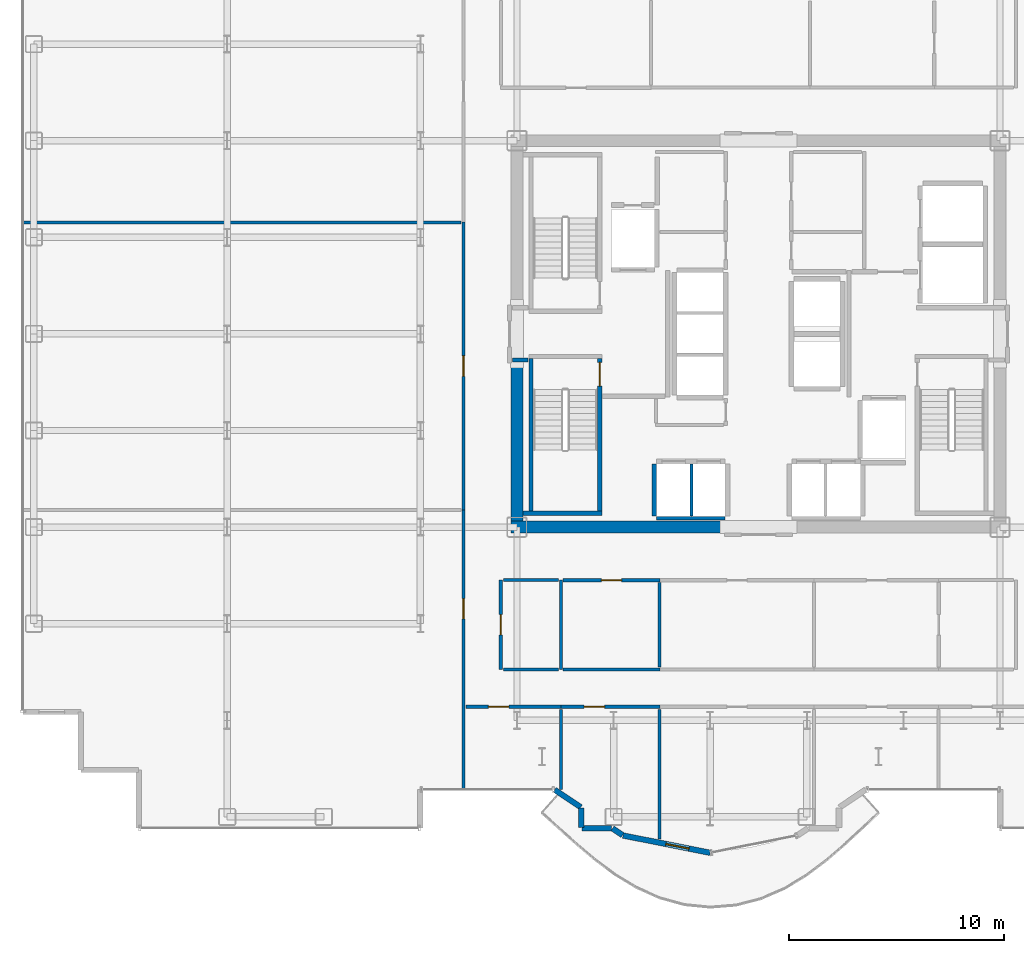
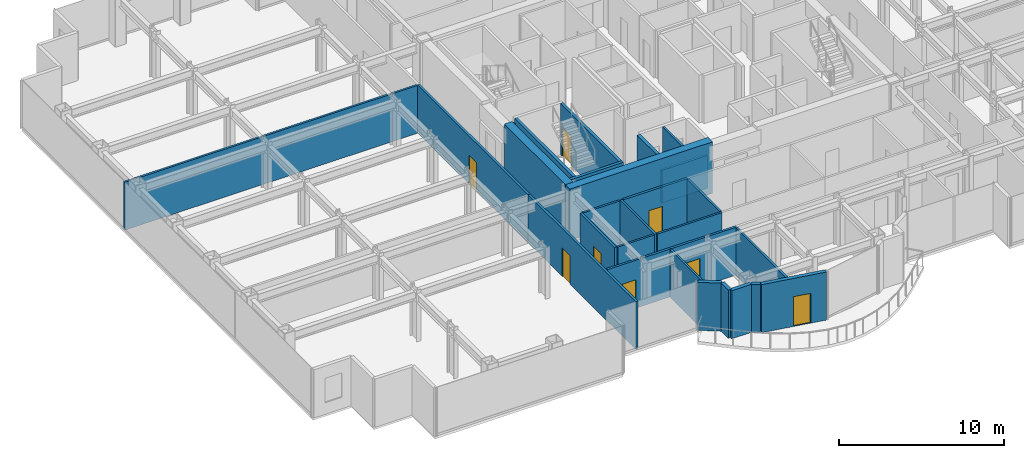
# One storey, part 15 of 23: 28 walls, 8 doors, 8 openings.
"""IFC4 building model written with IfcOpenShell, lengths in metres."""

from ifc_helpers import new_model, si_unit, direction, frame, frame_2d, origin, place, context, subcontext, project, spatial, rectangle, extrude, source, transform, mapped, material, layer, layer_set, type_object, element, fill, save


model = new_model("IFC4")

# Units and contexts
model_context = context("Model", 3, precision=1e-05, world=origin(), true_north=direction((0.0, 1.0)))
body_context = subcontext(model_context, "Body", "Model", "MODEL_VIEW")
ifc_project = project(units=[si_unit("LENGTHUNIT", "METRE"), si_unit("AREAUNIT", "SQUARE_METRE"), si_unit("VOLUMEUNIT", "CUBIC_METRE"), si_unit("PLANEANGLEUNIT", "RADIAN"), si_unit("MASSUNIT", "GRAM", prefix="KILO")], contexts=[model_context])

# Site, building, storey
site_placement = place(None, origin())
site = spatial("IfcSite", under=ifc_project, at=site_placement, CompositionType="ELEMENT")
building_placement = place(site_placement, origin())
building = spatial("IfcBuilding", under=site, at=building_placement, Name="Nefas-Gora Pilgrimage Tower", CompositionType="ELEMENT")
storey_placement = place(building_placement, frame((0.0, 0.0, 156.39990234375)))
storey = spatial("IfcBuildingStorey", under=building, at=storey_placement, Name="L38", CompositionType="ELEMENT", Elevation=156.39990234375)

# Walls
ifc_material_1 = material(Name="Concrete C60/75", Category="concrete")
ifc_layer_1 = layer(ifc_material_1, 0.550048828125)
ifc_layer_set_1 = layer_set([ifc_layer_1], Name="Concrete C60/75")
wall_type_1 = type_object("IfcWallType", Name="SW-CORE-550", PredefinedType="SHEAR", material=ifc_layer_set_1)
shared_shape_1 = source(origin(), body_context, "Body", "SweptSolid", [
    extrude(rectangle(XDim=9.974853515625, YDim=0.550048828125, at=frame_2d((4.9873046875, 0.0))), origin(), (0.0, 0.0, 1.0), 3.800048828125),
])
wall_1_placement = place(storey_placement, frame((-11.52490234375, -9.0, 0.0), z_axis=(0.0, 0.0, 1.0), x_axis=(1.0, 0.0, 0.0)))
element("IfcWall", 1, at=wall_1_placement, inside=storey, type_object=wall_type_1, Name="L38 Core Shear Wall S-West", PredefinedType="SHEAR", context=body_context, shape_type="MappedRepresentation", body=[
    mapped(shared_shape_1, transform((0.0, 0.0, 0.0), x_axis=(1.0, 0.0, 0.0), y_axis=(0.0, 1.0, 0.0), z_axis=(0.0, 0.0, 1.0), scale=1.0)),
])
shared_shape_2 = source(origin(), body_context, "Body", "SweptSolid", [
    extrude(rectangle(XDim=7.375, YDim=0.550048828125, at=frame_2d((3.6875, 0.0))), origin(), (0.0, 0.0, 1.0), 3.800048828125),
])
wall_2_placement = place(storey_placement, frame((-11.25, -8.72509765625, 0.0), z_axis=(0.0, 0.0, 1.0), x_axis=(0.0, 1.0, 0.0)))
element("IfcWall", 2, at=wall_2_placement, inside=storey, type_object=wall_type_1, Name="L38 Core Shear Wall W-South", PredefinedType="SHEAR", context=body_context, shape_type="MappedRepresentation", body=[
    mapped(shared_shape_2, transform((0.0, 0.0, 0.0), x_axis=(1.0, 0.0, 0.0), y_axis=(0.0, 1.0, 0.0), z_axis=(0.0, 0.0, 1.0), scale=1.0)),
])
ifc_material_2 = material(Name="Precast concrete C40/50", Category="concrete")
ifc_layer_2 = layer(ifc_material_2, 0.260009765625)
ifc_layer_set_2 = layer_set([ifc_layer_2], Name="Precast concrete C40/50")
wall_type_2 = type_object("IfcWallType", Name="EW-PORTAL-260", PredefinedType="SOLIDWALL", material=ifc_layer_set_2)
shared_shape_3 = source(origin(), body_context, "Body", "SweptSolid", [
    extrude(rectangle(XDim=1.468994140625, YDim=0.260009765625, at=frame_2d((0.734375, 0.0))), origin(), (0.0, 0.0, 1.0), 3.550048828125),
])
wall_3_placement = place(storey_placement, frame((-9.49462890625, -21.235595703125, 0.0), z_axis=(0.0, 0.0, 1.0), x_axis=(0.831461760506, -0.555581983884, 0.0)))
element("IfcWall", 3, at=wall_3_placement, inside=storey, type_object=wall_type_2, Name="L38 Lobe Shoulder Precast Spandrel Pier 30", PredefinedType="SOLIDWALL", context=body_context, shape_type="MappedRepresentation", body=[
    mapped(shared_shape_3, transform((0.0, 0.0, 0.0), x_axis=(1.0, 0.0, 0.0), y_axis=(0.0, 1.0, 0.0), z_axis=(0.0, 0.0, 1.0), scale=1.0)),
])
shared_shape_4 = source(origin(), body_context, "Body", "SweptSolid", [
    extrude(rectangle(XDim=0.896728515625, YDim=0.260009765625, at=frame_2d((0.4482421875, 0.0))), origin(), (0.0, 0.0, 1.0), 3.550048828125),
])
wall_4_placement = place(storey_placement, frame((-8.25, -22.09521484375, 0.0), z_axis=(0.0, 0.0, 1.0), x_axis=(0.0, -1.0, 0.0)))
element("IfcWall", 4, at=wall_4_placement, inside=storey, type_object=wall_type_2, Name="L38 Lobe Shoulder Precast Spandrel Pier 31", PredefinedType="SOLIDWALL", context=body_context, shape_type="MappedRepresentation", body=[
    mapped(shared_shape_4, transform((0.0, 0.0, 0.0), x_axis=(1.0, 0.0, 0.0), y_axis=(0.0, 1.0, 0.0), z_axis=(0.0, 0.0, 1.0), scale=1.0)),
])
shared_shape_5 = source(origin(), body_context, "Body", "SweptSolid", [
    extrude(rectangle(XDim=1.369873046875, YDim=0.260009765625, at=frame_2d((0.68505859375, 0.0))), origin(), (0.0, 0.0, 1.0), 3.550048828125),
])
wall_5_placement = place(storey_placement, frame((-8.221923828125, -23.02001953125, 0.0), z_axis=(0.0, 0.0, 1.0), x_axis=(1.0, 0.0, 0.0)))
element("IfcWall", 5, at=wall_5_placement, inside=storey, type_object=wall_type_2, Name="L38 Lobe Shoulder Precast Spandrel Pier 32", PredefinedType="SOLIDWALL", context=body_context, shape_type="MappedRepresentation", body=[
    mapped(shared_shape_5, transform((0.0, 0.0, 0.0), x_axis=(1.0, 0.0, 0.0), y_axis=(0.0, 1.0, 0.0), z_axis=(0.0, 0.0, 1.0), scale=1.0)),
])
shared_shape_6 = source(origin(), body_context, "Body", "SweptSolid", [
    extrude(rectangle(XDim=0.5654296875, YDim=0.260009765625, at=frame_2d((0.28271484375, 0.0))), origin(), (0.0, 0.0, 1.0), 3.550048828125),
])
wall_6_placement = place(storey_placement, frame((-6.80078125, -23.03564453125, 0.0), z_axis=(0.0, 0.0, 1.0), x_axis=(0.831651492666, -0.555297933317, 0.0)))
element("IfcWall", 6, at=wall_6_placement, inside=storey, type_object=wall_type_2, Name="L38 Lobe Shoulder Precast Spandrel Pier 33", PredefinedType="SOLIDWALL", context=body_context, shape_type="MappedRepresentation", body=[
    mapped(shared_shape_6, transform((0.0, 0.0, 0.0), x_axis=(1.0, 0.0, 0.0), y_axis=(0.0, 1.0, 0.0), z_axis=(0.0, 0.0, 1.0), scale=1.0)),
])

# Wall, opening, door
shared_shape_7 = source(origin(), body_context, "Body", "SweptSolid", [
    extrude(rectangle(XDim=4.136962890625, YDim=0.260009765625, at=frame_2d((2.068359375, 0.0))), origin(), (0.0, 0.0, 1.0), 3.550048828125),
])
wall_7_placement = place(storey_placement, frame((-6.307373046875, -23.365234375, 0.0), z_axis=(0.0, 0.0, 1.0), x_axis=(0.980782170794, -0.195105954428, 0.0)))
wall_7 = element("IfcWall", 7, at=wall_7_placement, inside=storey, type_object=wall_type_2, Name="L38 Insulated Terrace Portal Wall 34", PredefinedType="SOLIDWALL", context=body_context, shape_type="MappedRepresentation", body=[
    mapped(shared_shape_7, transform((0.0, 0.0, 0.0), x_axis=(1.0, 0.0, 0.0), y_axis=(0.0, 1.0, 0.0), z_axis=(0.0, 0.0, 1.0), scale=1.0)),
])
opening_1_placement = place(wall_7_placement, frame((2.03369140625, 0.0, 0.0)))
opening_1 = element("IfcOpeningElement", 8, at=opening_1_placement, cuts=wall_7, Name="Opening ED-B1", PredefinedType="OPENING", context=body_context, shape_type="SweptSolid", body=[
    extrude(rectangle(XDim=1.10009765625, YDim=2.199951171875, at=frame_2d((0.550048828125, 1.10009765625))), frame((0.0, 0.139892578125, 0.0), z_axis=(0.0, -1.0, 0.0), x_axis=(1.0, 0.0, 0.0)), (0.0, 0.0, 1.0), 0.280029296875),
])
ifc_material_3 = material(Name="Thermally broken glazed aluminium balcony door", Category="aluminium")
door_type_1 = type_object("IfcDoorType", Name="DR-EXT-BAL-1100", OperationType="NOTDEFINED", PredefinedType="DOOR", material=ifc_material_3)
shared_shape_8 = source(origin(), body_context, "Body", "SweptSolid", [
    extrude(rectangle(XDim=1.10009765625, YDim=2.199951171875, at=frame_2d((0.550048828125, 1.10009765625))), frame((0.0, 0.02490234375, 0.0), z_axis=(0.0, -1.0, 0.0), x_axis=(1.0, 0.0, 0.0)), (0.0, 0.0, 1.0), 0.050048828125),
])
door_1_placement = place(opening_1_placement, origin())
door_1 = element("IfcDoor", 9, at=door_1_placement, inside=storey, type_object=door_type_1, Name="L38 Exterior Door (L38 S Lobe Wave Balcony)", OperationType="SINGLE_SWING_LEFT", OverallHeight=2.199951171875, OverallWidth=1.10009765625, PredefinedType="DOOR", context=body_context, shape_type="MappedRepresentation", body=[
    mapped(shared_shape_8, transform((0.0, 0.0, 0.0), x_axis=(1.0, 0.0, 0.0), y_axis=(0.0, 1.0, 0.0), z_axis=(0.0, 0.0, 1.0), scale=1.0)),
])
fill(opening_1, door_1)

# Wall
ifc_material_4 = material(Name="Concrete C45/55", Category="concrete")
ifc_layer_3 = layer(ifc_material_4, 0.199951171875)
ifc_layer_set_3 = layer_set([ifc_layer_3], Name="Concrete C45/55")
wall_type_3 = type_object("IfcWallType", Name="IW-STAIR-200", PredefinedType="SOLIDWALL", material=ifc_layer_set_3)
shared_shape_9 = source(origin(), body_context, "Body", "SweptSolid", [
    extrude(rectangle(XDim=7.10009765625, YDim=0.199951171875, at=frame_2d((3.550048828125, 0.0))), origin(), (0.0, 0.0, 1.0), 3.800048828125),
])
wall_8_placement = place(storey_placement, frame((-10.60009765625, -1.14990234375, 0.0), z_axis=(0.0, 0.0, 1.0), x_axis=(0.0, -1.0, 0.0)))
element("IfcWall", 10, at=wall_8_placement, inside=storey, type_object=wall_type_3, Name="L38 Stairwell Shear Wall ST-03-left", PredefinedType="SOLIDWALL", context=body_context, shape_type="MappedRepresentation", body=[
    mapped(shared_shape_9, transform((0.0, 0.0, 0.0), x_axis=(1.0, 0.0, 0.0), y_axis=(0.0, 1.0, 0.0), z_axis=(0.0, 0.0, 1.0), scale=1.0)),
])

# Wall, opening, door
wall_9_placement = place(storey_placement, frame((-7.39990234375, -1.14990234375, 0.0), z_axis=(0.0, 0.0, 1.0), x_axis=(0.0, -1.0, 0.0)))
wall_9 = element("IfcWall", 11, at=wall_9_placement, inside=storey, type_object=wall_type_3, Name="L38 Stairwell Shear Wall ST-03-right", PredefinedType="SOLIDWALL", context=body_context, shape_type="MappedRepresentation", body=[
    mapped(shared_shape_9, transform((0.0, 0.0, 0.0), x_axis=(1.0, 0.0, 0.0), y_axis=(0.0, 1.0, 0.0), z_axis=(0.0, 0.0, 1.0), scale=1.0)),
])
opening_2_placement = place(wall_9_placement, frame((0.179931640625, 0.0, 0.0)))
opening_2 = element("IfcOpeningElement", 12, at=opening_2_placement, cuts=wall_9, Name="Opening ID-ST1", PredefinedType="OPENING", context=body_context, shape_type="SweptSolid", body=[
    extrude(rectangle(XDim=1.10009765625, YDim=2.14990234375, at=frame_2d((0.550048828125, 1.074951171875))), frame((0.0, 0.10986328125, 0.0), z_axis=(0.0, -1.0, 0.0), x_axis=(1.0, 0.0, 0.0)), (0.0, 0.0, 1.0), 0.219970703125),
])
ifc_material_5 = material(Name="Painted galvanised steel fire stair door", Category="steel")
door_type_2 = type_object("IfcDoorType", Name="DR-INT-STAIR-1100", OperationType="NOTDEFINED", PredefinedType="DOOR", material=ifc_material_5)
shared_shape_10 = source(origin(), body_context, "Body", "SweptSolid", [
    extrude(rectangle(XDim=1.10009765625, YDim=2.14990234375, at=frame_2d((0.550048828125, 1.074951171875))), frame((0.0, 0.02490234375, 0.0), z_axis=(0.0, -1.0, 0.0), x_axis=(1.0, 0.0, 0.0)), (0.0, 0.0, 1.0), 0.050048828125),
])
door_2_placement = place(opening_2_placement, origin())
door_2 = element("IfcDoor", 13, at=door_2_placement, inside=storey, type_object=door_type_2, Name="L38 Protected Exit Stair Door ST-03", OperationType="SINGLE_SWING_RIGHT", OverallHeight=2.14990234375, OverallWidth=1.10009765625, PredefinedType="DOOR", context=body_context, shape_type="MappedRepresentation", body=[
    mapped(shared_shape_10, transform((0.0, 0.0, 0.0), x_axis=(1.0, 0.0, 0.0), y_axis=(0.0, 1.0, 0.0), z_axis=(0.0, 0.0, 1.0), scale=1.0)),
])
fill(opening_2, door_2)

# Walls
shared_shape_11 = source(origin(), body_context, "Body", "SweptSolid", [
    extrude(rectangle(XDim=3.679931640625, YDim=0.199951171875, at=frame_2d((1.83984375, 0.0))), origin(), (0.0, 0.0, 1.0), 3.800048828125),
])
wall_10_placement = place(storey_placement, frame((-10.97998046875, -8.35009765625, 0.0), z_axis=(0.0, 0.0, 1.0), x_axis=(1.0, 0.0, 0.0)))
element("IfcWall", 14, at=wall_10_placement, inside=storey, type_object=wall_type_3, Name="L38 Stairwell Shear Wall ST-03-far", PredefinedType="SOLIDWALL", context=body_context, shape_type="MappedRepresentation", body=[
    mapped(shared_shape_11, transform((0.0, 0.0, 0.0), x_axis=(1.0, 0.0, 0.0), y_axis=(0.0, 1.0, 0.0), z_axis=(0.0, 0.0, 1.0), scale=1.0)),
])
ifc_material_6 = material(Name="Gypsum acoustic stud partition")
ifc_layer_4 = layer(ifc_material_6, 0.159912109375)
ifc_layer_set_4 = layer_set([ifc_layer_4], Name="Gypsum acoustic stud partition")
wall_type_4 = type_object("IfcWallType", Name="IW-CORR-160", PredefinedType="PARTITIONING", material=ifc_layer_set_4)
shared_shape_12 = source(origin(), body_context, "Body", "SweptSolid", [
    extrude(rectangle(XDim=3.199951171875, YDim=0.159912109375, at=frame_2d((1.60009765625, 0.0))), origin(), (0.0, 0.0, 1.0), 2.425048828125),
])
wall_11_placement = place(storey_placement, frame((-4.75, -8.580078125, 0.0), z_axis=(0.0, 0.0, 1.0), x_axis=(1.0, 0.0, 0.0)))
element("IfcWall", 15, at=wall_11_placement, inside=storey, type_object=wall_type_4, Name="L38 Hoistway Wall PL2-W-S", PredefinedType="PARTITIONING", context=body_context, shape_type="MappedRepresentation", body=[
    mapped(shared_shape_12, transform((0.0, 0.0, 0.0), x_axis=(1.0, 0.0, 0.0), y_axis=(0.0, 1.0, 0.0), z_axis=(0.0, 0.0, 1.0), scale=1.0)),
])
ifc_material_7 = material(Name="Concrete C40/50", Category="concrete")
ifc_layer_5 = layer(ifc_material_7, 0.219970703125)
ifc_layer_set_5 = layer_set([ifc_layer_5], Name="Concrete C40/50")
wall_type_5 = type_object("IfcWallType", Name="IW-SHAFT-220", PredefinedType="SOLIDWALL", material=ifc_layer_set_5)
shared_shape_13 = source(origin(), body_context, "Body", "SweptSolid", [
    extrude(rectangle(XDim=2.429931640625, YDim=0.219970703125, at=frame_2d((1.21484375, 0.0))), origin(), (0.0, 0.0, 1.0), 3.53515625),
])
wall_12_placement = place(storey_placement, frame((-4.860107421875, -6.06005859375, 0.0), z_axis=(0.0, 0.0, 1.0), x_axis=(0.0, -1.0, 0.0)))
element("IfcWall", 16, at=wall_12_placement, inside=storey, type_object=wall_type_5, Name="L38 Hoistway Wall PL2-W-W", PredefinedType="SOLIDWALL", context=body_context, shape_type="MappedRepresentation", body=[
    mapped(shared_shape_13, transform((0.0, 0.0, 0.0), x_axis=(1.0, 0.0, 0.0), y_axis=(0.0, 1.0, 0.0), z_axis=(0.0, 0.0, 1.0), scale=1.0)),
])
ifc_material_8 = material(Name="Gypsum twin-stud partition")
ifc_layer_6 = layer(ifc_material_8, 0.139892578125)
ifc_layer_set_6 = layer_set([ifc_layer_6], Name="Gypsum twin-stud partition")
wall_type_6 = type_object("IfcWallType", Name="IW-UNIT-140", PredefinedType="PARTITIONING", material=ifc_layer_set_6)
shared_shape_14 = source(origin(), body_context, "Body", "SweptSolid", [
    extrude(rectangle(XDim=2.429931640625, YDim=0.139892578125, at=frame_2d((1.21484375, 0.0))), origin(), (0.0, 0.0, 1.0), 3.53515625),
])
wall_13_placement = place(storey_placement, frame((-3.125, -8.489990234375, 0.0), z_axis=(0.0, 0.0, 1.0), x_axis=(0.0, 1.0, 0.0)))
element("IfcWall", 17, at=wall_13_placement, inside=storey, type_object=wall_type_6, Name="L38 Hoistway Wall PL2-W-DIV", PredefinedType="PARTITIONING", context=body_context, shape_type="MappedRepresentation", body=[
    mapped(shared_shape_14, transform((0.0, 0.0, 0.0), x_axis=(1.0, 0.0, 0.0), y_axis=(0.0, 1.0, 0.0), z_axis=(0.0, 0.0, 1.0), scale=1.0)),
])
ifc_material_9 = material(Name="Gypsum fire-rated shaftwall")
ifc_layer_7 = layer(ifc_material_9, 0.199951171875)
ifc_layer_set_7 = layer_set([ifc_layer_7], Name="Gypsum fire-rated shaftwall")
wall_type_7 = type_object("IfcWallType", Name="IW-FFLOB-200", PredefinedType="PARTITIONING", material=ifc_layer_set_7)
shared_shape_15 = source(origin(), body_context, "Body", "SweptSolid", [
    extrude(rectangle(XDim=0.719970703125, YDim=0.199951171875, at=frame_2d((0.35986328125, 0.0))), origin(), (0.0, 0.0, 1.0), 3.53515625),
])
wall_14_placement = place(storey_placement, frame((-11.4599609375, -1.219970703125, 0.0), z_axis=(0.0, 0.0, 1.0), x_axis=(1.0, 0.0, 0.0)))
element("IfcWall", 18, at=wall_14_placement, inside=storey, type_object=wall_type_7, Name="L38 FF Lobby West Throat S Wall 8", PredefinedType="PARTITIONING", context=body_context, shape_type="MappedRepresentation", body=[
    mapped(shared_shape_15, transform((0.0, 0.0, 0.0), x_axis=(1.0, 0.0, 0.0), y_axis=(0.0, 1.0, 0.0), z_axis=(0.0, 0.0, 1.0), scale=1.0)),
])
shared_shape_16 = source(origin(), body_context, "Body", "SweptSolid", [
    extrude(rectangle(XDim=20.429931640625, YDim=0.139892578125, at=frame_2d((10.21484375, 0.0))), origin(), (0.0, 0.0, 1.0), 3.53515625),
])
wall_15_placement = place(storey_placement, frame((-34.2900390625, 5.195068359375, 0.0), z_axis=(0.0, 0.0, 1.0), x_axis=(1.0, 0.0, 0.0)))
element("IfcWall", 19, at=wall_15_placement, inside=storey, type_object=wall_type_6, Name="L38 Pilgrim Fellowship Seminar Room Partition Wall 35", PredefinedType="PARTITIONING", context=body_context, shape_type="MappedRepresentation", body=[
    mapped(shared_shape_16, transform((0.0, 0.0, 0.0), x_axis=(1.0, 0.0, 0.0), y_axis=(0.0, 1.0, 0.0), z_axis=(0.0, 0.0, 1.0), scale=1.0)),
])

# Wall, opening, door
shared_shape_17 = source(origin(), body_context, "Body", "SweptSolid", [
    extrude(rectangle(XDim=13.044921875, YDim=0.159912109375, at=frame_2d((6.5224609375, 0.0))), origin(), (0.0, 0.0, 1.0), 3.53515625),
])
wall_16_placement = place(storey_placement, frame((-13.739990234375, -21.239990234375, 0.0), z_axis=(0.0, 0.0, 1.0), x_axis=(0.0, 1.0, 0.0)))
wall_16 = element("IfcWall", 20, at=wall_16_placement, inside=storey, type_object=wall_type_4, Name="L38 Pilgrim Tea and Beverage Pantry Partition Wall 32", PredefinedType="PARTITIONING", context=body_context, shape_type="MappedRepresentation", body=[
    mapped(shared_shape_17, transform((0.0, 0.0, 0.0), x_axis=(1.0, 0.0, 0.0), y_axis=(0.0, 1.0, 0.0), z_axis=(0.0, 0.0, 1.0), scale=1.0)),
])
opening_3_placement = place(wall_16_placement, frame((7.96240234375, 0.0, 0.0)))
opening_3 = element("IfcOpeningElement", 21, at=opening_3_placement, cuts=wall_16, Name="Opening ID-GR1", PredefinedType="OPENING", context=body_context, shape_type="SweptSolid", body=[
    extrude(rectangle(XDim=0.949951171875, YDim=2.10009765625, at=frame_2d((0.47509765625, 1.050048828125))), frame((0.0, 0.08984375, 0.0), z_axis=(0.0, -1.0, 0.0), x_axis=(1.0, 0.0, 0.0)), (0.0, 0.0, 1.0), 0.179931640625),
])
ifc_material_10 = material(Name="Solid core oak fire-rated guest entrance door")
door_type_3 = type_object("IfcDoorType", Name="DR-INT-GUEST-950", OperationType="NOTDEFINED", PredefinedType="DOOR", material=ifc_material_10)
shared_shape_18 = source(origin(), body_context, "Body", "SweptSolid", [
    extrude(rectangle(XDim=0.949951171875, YDim=2.10009765625, at=frame_2d((0.47509765625, 1.050048828125))), frame((0.0, 0.02490234375, 0.0), z_axis=(0.0, -1.0, 0.0), x_axis=(1.0, 0.0, 0.0)), (0.0, 0.0, 1.0), 0.050048828125),
])
door_3_placement = place(opening_3_placement, origin())
door_3 = element("IfcDoor", 22, at=door_3_placement, inside=storey, type_object=door_type_3, Name="L38 Pilgrim Tea and Beverage Pantry Door 13", OperationType="SINGLE_SWING_LEFT", OverallHeight=2.10009765625, OverallWidth=0.949951171875, PredefinedType="DOOR", context=body_context, shape_type="MappedRepresentation", body=[
    mapped(shared_shape_18, transform((0.0, 0.0, 0.0), x_axis=(1.0, 0.0, 0.0), y_axis=(0.0, 1.0, 0.0), z_axis=(0.0, 0.0, 1.0), scale=1.0)),
])
fill(opening_3, door_3)

shared_shape_19 = source(origin(), body_context, "Body", "SweptSolid", [
    extrude(rectangle(XDim=13.41015625, YDim=0.159912109375, at=frame_2d((6.705078125, 0.0))), origin(), (0.0, 0.0, 1.0), 3.53515625),
])
wall_17_placement = place(storey_placement, frame((-13.739990234375, -8.205078125, 0.0), z_axis=(0.0, 0.0, 1.0), x_axis=(0.0, 1.0, 0.0)))
wall_17 = element("IfcWall", 23, at=wall_17_placement, inside=storey, type_object=wall_type_4, Name="L38 Pilgrim Fellowship Seminar Room Partition Wall 34", PredefinedType="PARTITIONING", context=body_context, shape_type="MappedRepresentation", body=[
    mapped(shared_shape_19, transform((0.0, 0.0, 0.0), x_axis=(1.0, 0.0, 0.0), y_axis=(0.0, 1.0, 0.0), z_axis=(0.0, 0.0, 1.0), scale=1.0)),
])
opening_4_placement = place(wall_17_placement, frame((6.22998046875, 0.0, 0.0)))
opening_4 = element("IfcOpeningElement", 24, at=opening_4_placement, cuts=wall_17, Name="Opening ID-GR1", PredefinedType="OPENING", context=body_context, shape_type="SweptSolid", body=[
    extrude(rectangle(XDim=0.949951171875, YDim=2.10009765625, at=frame_2d((0.47509765625, 1.050048828125))), frame((0.0, 0.08984375, 0.0), z_axis=(0.0, -1.0, 0.0), x_axis=(1.0, 0.0, 0.0)), (0.0, 0.0, 1.0), 0.179931640625),
])
door_4_placement = place(opening_4_placement, origin())
door_4 = element("IfcDoor", 25, at=door_4_placement, inside=storey, type_object=door_type_3, Name="L38 Pilgrim Fellowship Seminar Room Door 14", OperationType="SINGLE_SWING_RIGHT", OverallHeight=2.10009765625, OverallWidth=0.949951171875, PredefinedType="DOOR", context=body_context, shape_type="MappedRepresentation", body=[
    mapped(shared_shape_18, transform((0.0, 0.0, 0.0), x_axis=(1.0, 0.0, 0.0), y_axis=(0.0, 1.0, 0.0), z_axis=(0.0, 0.0, 1.0), scale=1.0)),
])
fill(opening_4, door_4)

# Walls
shared_shape_20 = source(origin(), body_context, "Body", "SweptSolid", [
    extrude(rectangle(XDim=3.929931640625, YDim=0.139892578125, at=frame_2d((1.96484375, 0.0))), origin(), (0.0, 0.0, 1.0), 3.53515625),
])
wall_18_placement = place(storey_placement, frame((-4.60498046875, -15.52001953125, 0.0), z_axis=(0.0, 0.0, 1.0), x_axis=(0.0, 1.0, 0.0)))
element("IfcWall", 26, at=wall_18_placement, inside=storey, type_object=wall_type_6, Name="L38 Pilgrim Contemplative Lounge Partition Wall 81", PredefinedType="PARTITIONING", context=body_context, shape_type="MappedRepresentation", body=[
    mapped(shared_shape_20, transform((0.0, 0.0, 0.0), x_axis=(1.0, 0.0, 0.0), y_axis=(0.0, 1.0, 0.0), z_axis=(0.0, 0.0, 1.0), scale=1.0)),
])
shared_shape_21 = source(origin(), body_context, "Body", "SweptSolid", [
    extrude(rectangle(XDim=4.179931640625, YDim=0.139892578125, at=frame_2d((2.08984375, 0.0))), origin(), (0.0, 0.0, 1.0), 3.53515625),
])
wall_19_placement = place(storey_placement, frame((-9.205078125, -15.639892578125, 0.0), z_axis=(0.0, 0.0, 1.0), x_axis=(0.0, 1.0, 0.0)))
element("IfcWall", 27, at=wall_19_placement, inside=storey, type_object=wall_type_6, Name="L38 Pilgrim Contemplative Lounge Partition Wall 74", PredefinedType="PARTITIONING", context=body_context, shape_type="MappedRepresentation", body=[
    mapped(shared_shape_21, transform((0.0, 0.0, 0.0), x_axis=(1.0, 0.0, 0.0), y_axis=(0.0, 1.0, 0.0), z_axis=(0.0, 0.0, 1.0), scale=1.0)),
])

# Wall, opening, door
shared_shape_22 = source(origin(), body_context, "Body", "SweptSolid", [
    extrude(rectangle(XDim=4.425048828125, YDim=0.159912109375, at=frame_2d((2.21240234375, 0.0))), origin(), (0.0, 0.0, 1.0), 3.53515625),
])
wall_20_placement = place(storey_placement, frame((-13.6201171875, -17.3701171875, 0.0), z_axis=(0.0, 0.0, 1.0), x_axis=(1.0, 0.0, 0.0)))
wall_20 = element("IfcWall", 28, at=wall_20_placement, inside=storey, type_object=wall_type_4, Name="L38 Pilgrim Contemplative Lounge Partition Wall 71", PredefinedType="PARTITIONING", context=body_context, shape_type="MappedRepresentation", body=[
    mapped(shared_shape_22, transform((0.0, 0.0, 0.0), x_axis=(1.0, 0.0, 0.0), y_axis=(0.0, 1.0, 0.0), z_axis=(0.0, 0.0, 1.0), scale=1.0)),
])
opening_5_placement = place(wall_20_placement, frame((1.037841796875, 0.0, 0.0)))
opening_5 = element("IfcOpeningElement", 29, at=opening_5_placement, cuts=wall_20, Name="Opening ID-GR1", PredefinedType="OPENING", context=body_context, shape_type="SweptSolid", body=[
    extrude(rectangle(XDim=0.949951171875, YDim=2.10009765625, at=frame_2d((0.47509765625, 1.050048828125))), frame((0.0, 0.08984375, 0.0), z_axis=(0.0, -1.0, 0.0), x_axis=(1.0, 0.0, 0.0)), (0.0, 0.0, 1.0), 0.179931640625),
])
door_5_placement = place(opening_5_placement, origin())
door_5 = element("IfcDoor", 30, at=door_5_placement, inside=storey, type_object=door_type_3, Name="L38 Pilgrim Contemplative Lounge Door 32", OperationType="SINGLE_SWING_RIGHT", OverallHeight=2.10009765625, OverallWidth=0.949951171875, PredefinedType="DOOR", context=body_context, shape_type="MappedRepresentation", body=[
    mapped(shared_shape_18, transform((0.0, 0.0, 0.0), x_axis=(1.0, 0.0, 0.0), y_axis=(0.0, 1.0, 0.0), z_axis=(0.0, 0.0, 1.0), scale=1.0)),
])
fill(opening_5, door_5)

# Wall
shared_shape_23 = source(origin(), body_context, "Body", "SweptSolid", [
    extrude(rectangle(XDim=3.737060546875, YDim=0.139892578125, at=frame_2d((1.86865234375, 0.0))), origin(), (0.0, 0.0, 1.0), 3.53515625),
])
wall_21_placement = place(storey_placement, frame((-9.205078125, -21.22705078125, 0.0), z_axis=(0.0, 0.0, 1.0), x_axis=(0.0, 1.0, 0.0)))
element("IfcWall", 31, at=wall_21_placement, inside=storey, type_object=wall_type_6, Name="L38 Pilgrim Contemplative Lounge Partition Wall 72", PredefinedType="PARTITIONING", context=body_context, shape_type="MappedRepresentation", body=[
    mapped(shared_shape_23, transform((0.0, 0.0, 0.0), x_axis=(1.0, 0.0, 0.0), y_axis=(0.0, 1.0, 0.0), z_axis=(0.0, 0.0, 1.0), scale=1.0)),
])

# Wall, opening, door
shared_shape_24 = source(origin(), body_context, "Body", "SweptSolid", [
    extrude(rectangle(XDim=4.179931640625, YDim=0.159912109375, at=frame_2d((2.08984375, 0.0))), origin(), (0.0, 0.0, 1.0), 3.53515625),
])
wall_22_placement = place(storey_placement, frame((-12.0, -15.639892578125, 0.0), z_axis=(0.0, 0.0, 1.0), x_axis=(0.0, 1.0, 0.0)))
wall_22 = element("IfcWall", 32, at=wall_22_placement, inside=storey, type_object=wall_type_4, Name="L38 Pilgrim Contemplative Lounge Partition Wall 73", PredefinedType="PARTITIONING", context=body_context, shape_type="MappedRepresentation", body=[
    mapped(shared_shape_24, transform((0.0, 0.0, 0.0), x_axis=(1.0, 0.0, 0.0), y_axis=(0.0, 1.0, 0.0), z_axis=(0.0, 0.0, 1.0), scale=1.0)),
])
opening_6_placement = place(wall_22_placement, frame((1.614990234375, 0.0, 0.0)))
opening_6 = element("IfcOpeningElement", 33, at=opening_6_placement, cuts=wall_22, Name="Opening ID-GR1", PredefinedType="OPENING", context=body_context, shape_type="SweptSolid", body=[
    extrude(rectangle(XDim=0.949951171875, YDim=2.10009765625, at=frame_2d((0.47509765625, 1.050048828125))), frame((0.0, 0.08984375, 0.0), z_axis=(0.0, -1.0, 0.0), x_axis=(1.0, 0.0, 0.0)), (0.0, 0.0, 1.0), 0.179931640625),
])
door_6_placement = place(opening_6_placement, origin())
door_6 = element("IfcDoor", 34, at=door_6_placement, inside=storey, type_object=door_type_3, Name="L38 Pilgrim Contemplative Lounge Door 33", OperationType="SINGLE_SWING_LEFT", OverallHeight=2.10009765625, OverallWidth=0.949951171875, PredefinedType="DOOR", context=body_context, shape_type="MappedRepresentation", body=[
    mapped(shared_shape_18, transform((0.0, 0.0, 0.0), x_axis=(1.0, 0.0, 0.0), y_axis=(0.0, 1.0, 0.0), z_axis=(0.0, 0.0, 1.0), scale=1.0)),
])
fill(opening_6, door_6)

# Walls
shared_shape_25 = source(origin(), body_context, "Body", "SweptSolid", [
    extrude(rectangle(XDim=2.56494140625, YDim=0.139892578125, at=frame_2d((1.282470703125, 0.0))), origin(), (0.0, 0.0, 1.0), 3.53515625),
])
for number, where, z_axis, x_axis, name in (
    (35, (-11.8798828125, -11.469970703125, 0.0), (0.0, 0.0, 1.0), (1.0, 0.0, 0.0), "L38 Pilgrim Contemplative Lounge Partition Wall 75"),
    (36, (-11.8798828125, -15.6298828125, 0.0), (0.0, 0.0, 1.0), (1.0, 0.0, 0.0), "L38 Pilgrim Contemplative Lounge Partition Wall 76"),
):
    element("IfcWall", number, at=place(storey_placement, frame(where, z_axis=z_axis, x_axis=x_axis)), inside=storey, type_object=wall_type_6, Name=name, PredefinedType="PARTITIONING", context=body_context, shape_type="MappedRepresentation", body=[
        mapped(shared_shape_25, transform((0.0, 0.0, 0.0), x_axis=(1.0, 0.0, 0.0), y_axis=(0.0, 1.0, 0.0), z_axis=(0.0, 0.0, 1.0), scale=1.0)),
    ])

# Wall, opening, door
shared_shape_26 = source(origin(), body_context, "Body", "SweptSolid", [
    extrude(rectangle(XDim=4.610107421875, YDim=0.159912109375, at=frame_2d((2.30517578125, 0.0))), origin(), (0.0, 0.0, 1.0), 3.53515625),
])
wall_23_placement = place(storey_placement, frame((-9.205078125, -17.3701171875, 0.0), z_axis=(0.0, 0.0, 1.0), x_axis=(1.0, 0.0, 0.0)))
wall_23 = element("IfcWall", 37, at=wall_23_placement, inside=storey, type_object=wall_type_4, Name="L38 Pilgrim Contemplative Lounge Partition Wall 77", PredefinedType="PARTITIONING", context=body_context, shape_type="MappedRepresentation", body=[
    mapped(shared_shape_26, transform((0.0, 0.0, 0.0), x_axis=(1.0, 0.0, 0.0), y_axis=(0.0, 1.0, 0.0), z_axis=(0.0, 0.0, 1.0), scale=1.0)),
])
opening_7_placement = place(wall_23_placement, frame((1.0859375, 0.0, 0.0)))
opening_7 = element("IfcOpeningElement", 38, at=opening_7_placement, cuts=wall_23, Name="Opening ID-GR1", PredefinedType="OPENING", context=body_context, shape_type="SweptSolid", body=[
    extrude(rectangle(XDim=0.949951171875, YDim=2.10009765625, at=frame_2d((0.47509765625, 1.050048828125))), frame((0.0, 0.08984375, 0.0), z_axis=(0.0, -1.0, 0.0), x_axis=(1.0, 0.0, 0.0)), (0.0, 0.0, 1.0), 0.179931640625),
])
door_7_placement = place(opening_7_placement, origin())
door_7 = element("IfcDoor", 39, at=door_7_placement, inside=storey, type_object=door_type_3, Name="L38 Pilgrim Contemplative Lounge Door 34", OperationType="SINGLE_SWING_RIGHT", OverallHeight=2.10009765625, OverallWidth=0.949951171875, PredefinedType="DOOR", context=body_context, shape_type="MappedRepresentation", body=[
    mapped(shared_shape_18, transform((0.0, 0.0, 0.0), x_axis=(1.0, 0.0, 0.0), y_axis=(0.0, 1.0, 0.0), z_axis=(0.0, 0.0, 1.0), scale=1.0)),
])
fill(opening_7, door_7)

# Wall
shared_shape_27 = source(origin(), body_context, "Body", "SweptSolid", [
    extrude(rectangle(XDim=6.040771484375, YDim=0.139892578125, at=frame_2d((3.0205078125, 0.0))), origin(), (0.0, 0.0, 1.0), 3.53515625),
])
wall_24_placement = place(storey_placement, frame((-4.60498046875, -23.53076171875, 0.0), z_axis=(0.0, 0.0, 1.0), x_axis=(0.0, 1.0, 0.0)))
element("IfcWall", 40, at=wall_24_placement, inside=storey, type_object=wall_type_6, Name="L38 Pilgrim Contemplative Lounge Partition Wall 78", PredefinedType="PARTITIONING", context=body_context, shape_type="MappedRepresentation", body=[
    mapped(shared_shape_27, transform((0.0, 0.0, 0.0), x_axis=(1.0, 0.0, 0.0), y_axis=(0.0, 1.0, 0.0), z_axis=(0.0, 0.0, 1.0), scale=1.0)),
])

# Wall, opening, door
shared_shape_28 = source(origin(), body_context, "Body", "SweptSolid", [
    extrude(rectangle(XDim=4.5, YDim=0.159912109375, at=frame_2d((2.25, 0.0))), origin(), (0.0, 0.0, 1.0), 3.53515625),
])
wall_25_placement = place(storey_placement, frame((-9.094970703125, -11.469970703125, 0.0), z_axis=(0.0, 0.0, 1.0), x_axis=(1.0, 0.0, 0.0)))
wall_25 = element("IfcWall", 41, at=wall_25_placement, inside=storey, type_object=wall_type_4, Name="L38 Pilgrim Contemplative Lounge Partition Wall 79", PredefinedType="PARTITIONING", context=body_context, shape_type="MappedRepresentation", body=[
    mapped(shared_shape_28, transform((0.0, 0.0, 0.0), x_axis=(1.0, 0.0, 0.0), y_axis=(0.0, 1.0, 0.0), z_axis=(0.0, 0.0, 1.0), scale=1.0)),
])
opening_8_placement = place(wall_25_placement, frame((1.77490234375, 0.0, 0.0)))
opening_8 = element("IfcOpeningElement", 42, at=opening_8_placement, cuts=wall_25, Name="Opening ID-GR1", PredefinedType="OPENING", context=body_context, shape_type="SweptSolid", body=[
    extrude(rectangle(XDim=0.949951171875, YDim=2.10009765625, at=frame_2d((0.47509765625, 1.050048828125))), frame((0.0, 0.08984375, 0.0), z_axis=(0.0, -1.0, 0.0), x_axis=(1.0, 0.0, 0.0)), (0.0, 0.0, 1.0), 0.179931640625),
])
door_8_placement = place(opening_8_placement, origin())
door_8 = element("IfcDoor", 43, at=door_8_placement, inside=storey, type_object=door_type_3, Name="L38 Pilgrim Contemplative Lounge Door 35", OperationType="SINGLE_SWING_LEFT", OverallHeight=2.10009765625, OverallWidth=0.949951171875, PredefinedType="DOOR", context=body_context, shape_type="MappedRepresentation", body=[
    mapped(shared_shape_18, transform((0.0, 0.0, 0.0), x_axis=(1.0, 0.0, 0.0), y_axis=(0.0, 1.0, 0.0), z_axis=(0.0, 0.0, 1.0), scale=1.0)),
])
fill(opening_8, door_8)

# Wall
shared_shape_29 = source(origin(), body_context, "Body", "SweptSolid", [
    extrude(rectangle(XDim=4.5, YDim=0.139892578125, at=frame_2d((2.25, 0.0))), origin(), (0.0, 0.0, 1.0), 3.53515625),
])
wall_26_placement = place(storey_placement, frame((-9.094970703125, -15.6298828125, 0.0), z_axis=(0.0, 0.0, 1.0), x_axis=(1.0, 0.0, 0.0)))
element("IfcWall", 44, at=wall_26_placement, inside=storey, type_object=wall_type_6, Name="L38 Pilgrim Contemplative Lounge Partition Wall 80", PredefinedType="PARTITIONING", context=body_context, shape_type="MappedRepresentation", body=[
    mapped(shared_shape_29, transform((0.0, 0.0, 0.0), x_axis=(1.0, 0.0, 0.0), y_axis=(0.0, 1.0, 0.0), z_axis=(0.0, 0.0, 1.0), scale=1.0)),
])

save(model, "model.ifc")
